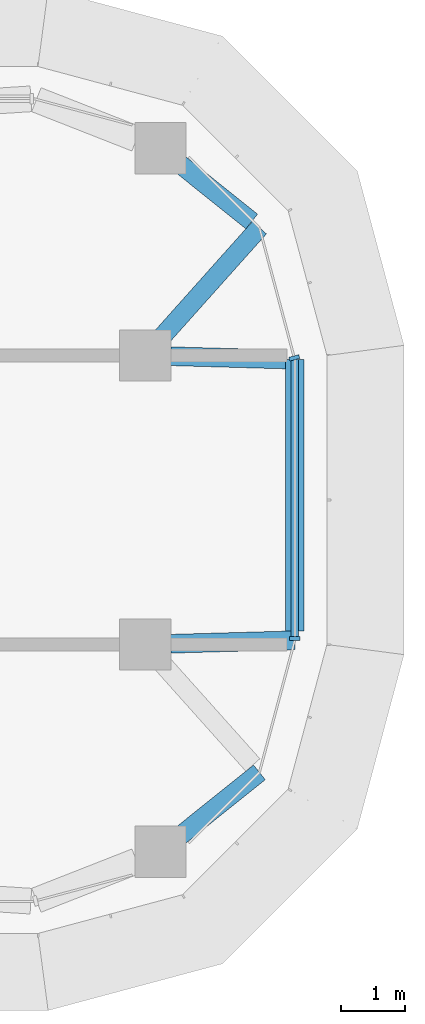
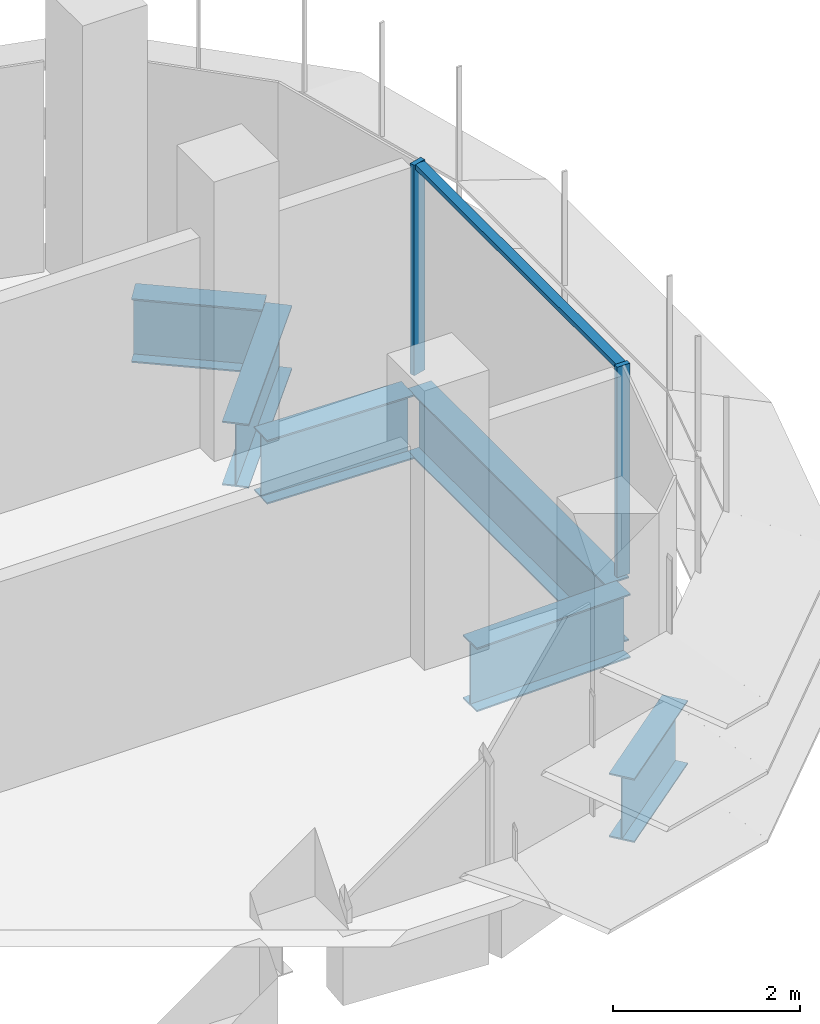
# One storey, part 10 of 19: 6 beams, 3 members, 2 elements without a shape of their own.
"""IFC4 building model written with IfcOpenShell, lengths in metres."""

from ifc_helpers import new_model, si_unit, direction, frame, origin, origin_2d, place, context, subcontext, project, spatial, polyline, i_section, outline, extrude, source, transform, mapped, material, material_profile, profile_set, type_object, element, aggregate, save


model = new_model("IFC4")

# Units and contexts
model_context = context("Model", 3, precision=1e-05, world=origin(), true_north=direction((0.0, 1.0)))
body_context = subcontext(model_context, "Body", "Model", "MODEL_VIEW")
ifc_project = project(units=[si_unit("LENGTHUNIT", "METRE"), si_unit("AREAUNIT", "SQUARE_METRE"), si_unit("VOLUMEUNIT", "CUBIC_METRE"), si_unit("PLANEANGLEUNIT", "RADIAN"), si_unit("MASSUNIT", "GRAM", prefix="KILO")], contexts=[model_context])

# Site, building, storey
site_placement = place(None, origin())
site = spatial("IfcSite", under=ifc_project, at=site_placement, CompositionType="ELEMENT")
building_placement = place(site_placement, origin())
building = spatial("IfcBuilding", under=site, at=building_placement, Name="Zarbagh Exchange Tower", CompositionType="ELEMENT")
storey_placement = place(building_placement, frame((0.0, 0.0, 171.39990234375)))
storey = spatial("IfcBuildingStorey", under=building, at=storey_placement, Name="L41", CompositionType="ELEMENT", Elevation=171.39990234375)

# Beams
ifc_material_1 = material(Name="Steel ASTM A992 Gr 50", Category="steel")
ifc_material_profile = material_profile(ifc_material_1, i_section(OverallWidth=0.2919921875, OverallDepth=0.835693359375, WebThickness=0.013916015625, FlangeThickness=0.018798828125, at=origin_2d()), Name="W33X118")
ifc_profile_set = profile_set([ifc_material_profile], Name="Steel ASTM A992 Gr 50")
beam_type = type_object("IfcBeamType", Name="Floor girder W33X118", PredefinedType="BEAM", material=ifc_profile_set)
beam_1_placement = place(storey_placement, frame((29.22021484375, 5.22509765625, -0.567626953125), z_axis=(0.780533236132, -0.625114283387, 0.0), x_axis=(0.625114283387, 0.780533236132, 0.0)))
element("IfcBeam", 1, at=beam_1_placement, inside=storey, type_object=beam_type, Name="Steel girder", PredefinedType="BEAM", context=body_context, shape_type="SweptSolid", body=[
    extrude(i_section(OverallWidth=0.2919921875, OverallDepth=0.835693359375, WebThickness=0.013916015625, FlangeThickness=0.018798828125, at=origin_2d()), origin(), (0.0, 0.0, 1.0), 1.420166015625),
])
beam_2_placement = place(storey_placement, frame((30.44873046875, 4.2412109375, -0.567626953125), z_axis=(-0.666191013206, -0.745781156857, 0.0), x_axis=(0.745781156857, -0.666191013206, 0.0)))
element("IfcBeam", 2, at=beam_2_placement, inside=storey, type_object=beam_type, Name="Steel girder", PredefinedType="BEAM", context=body_context, shape_type="SweptSolid", body=[
    extrude(i_section(OverallWidth=0.2919921875, OverallDepth=0.835693359375, WebThickness=0.013916015625, FlangeThickness=0.018798828125, at=origin_2d()), origin(), (0.0, 0.0, 1.0), 2.27001953125),
])
beam_3_placement = place(storey_placement, frame((29.06982421875, 2.23876953125, -0.567626953125), z_axis=(0.999600942558, -0.028248108547, 0.0), x_axis=(0.028248108547, 0.999600942558, 0.0)))
element("IfcBeam", 3, at=beam_3_placement, inside=storey, type_object=beam_type, Name="Steel girder", PredefinedType="BEAM", context=body_context, shape_type="SweptSolid", body=[
    extrude(i_section(OverallWidth=0.2919921875, OverallDepth=0.835693359375, WebThickness=0.013916015625, FlangeThickness=0.018798828125, at=origin_2d()), origin(), (0.0, 0.0, 1.0), 1.7890625),
])
beam_4_placement = place(storey_placement, frame((31.0, 2.18408203125, -0.567626953125), z_axis=(0.0, -1.0, 0.0), x_axis=(1.0, 0.0, 0.0)))
element("IfcBeam", 4, at=beam_4_placement, inside=storey, type_object=beam_type, Name="Steel girder", PredefinedType="BEAM", context=body_context, shape_type="SweptSolid", body=[
    extrude(i_section(OverallWidth=0.2919921875, OverallDepth=0.835693359375, WebThickness=0.013916015625, FlangeThickness=0.018798828125, at=origin_2d()), origin(), (0.0, 0.0, 1.0), 4.226318359375),
])
beam_5_placement = place(storey_placement, frame((31.0, -2.18408203125, -0.567626953125), z_axis=(-0.999598864551, -0.028321546377, 0.0), x_axis=(0.028321546377, -0.999598864551, 0.0)))
element("IfcBeam", 5, at=beam_5_placement, inside=storey, type_object=beam_type, Name="Steel girder", PredefinedType="BEAM", context=body_context, shape_type="SweptSolid", body=[
    extrude(i_section(OverallWidth=0.2919921875, OverallDepth=0.835693359375, WebThickness=0.013916015625, FlangeThickness=0.018798828125, at=origin_2d()), origin(), (0.0, 0.0, 1.0), 1.930908203125),
])
beam_6_placement = place(storey_placement, frame((30.44873046875, -4.2412109375, -0.567626953125), z_axis=(-0.780535770033, -0.625111119482, 0.0), x_axis=(0.625111119482, -0.780535770033, 0.0)))
element("IfcBeam", 6, at=beam_6_placement, inside=storey, type_object=beam_type, Name="Steel girder", PredefinedType="BEAM", context=body_context, shape_type="SweptSolid", body=[
    extrude(i_section(OverallWidth=0.2919921875, OverallDepth=0.835693359375, WebThickness=0.013916015625, FlangeThickness=0.018798828125, at=origin_2d()), origin(), (0.0, 0.0, 1.0), 1.573974609375),
])

# Curtain wall, member
ifc_material_2 = material(Name="Anodised aluminium frame and glazing", Category="aluminium")
curtain_wall_type = type_object("IfcCurtainWallType", Name="CWB Ribbon glazing, upper zones", PredefinedType="NOTDEFINED", material=ifc_material_2)
curtain_wall_1_placement = place(storey_placement, origin())
curtain_wall_1 = element("IfcCurtainWall", 7, at=curtain_wall_1_placement, inside=storey, type_object=curtain_wall_type, Name="CWB12 curtain wall", PredefinedType="NOTDEFINED")
ifc_material_3 = material(Name="Anodised aluminium frame", Category="aluminium")
member_type_1 = type_object("IfcMemberType", Name="MUB Mullion, anodised aluminium frame", PredefinedType="MULLION", material=ifc_material_3)
shared_shape_1 = source(origin(), body_context, "Body", "SweptSolid", [
    extrude(outline(polyline([(0.0, -0.080078125), (0.06005859375, -0.080078125), (0.06005859375, 0.080078125), (0.0, 0.080078125), (0.0, -0.080078125)])), origin(), (0.0, 0.0, 1.0), 2.75),
])
placement = place(storey_placement, origin())
member_1 = element("IfcMember", 8, at=placement, type_object=member_type_1, Name="CWB12 mullion 1.1", PredefinedType="MULLION", context=body_context, shape_type="MappedRepresentation", body=[
    mapped(shared_shape_1, transform((31.0, -2.18408203125, 0.0), x_axis=(0.0, 1.0, 0.0), y_axis=(-1.0, 0.0, 0.0), z_axis=(0.0, 0.0, 1.0))),
])

curtain_wall_2_placement = place(storey_placement, origin())
curtain_wall_2 = element("IfcCurtainWall", 9, at=curtain_wall_2_placement, inside=storey, type_object=curtain_wall_type, Name="CWB13 curtain wall", PredefinedType="NOTDEFINED")
member_2 = element("IfcMember", 10, at=placement, type_object=member_type_1, Name="CWB13 mullion 1.1", PredefinedType="MULLION", context=body_context, shape_type="MappedRepresentation", body=[
    mapped(shared_shape_1, transform((31.0, 2.18408203125, 0.0), x_axis=(-0.258824779902, 0.965924289636, 0.0), y_axis=(-0.965924289636, -0.258824779902, 0.0), z_axis=(0.0, 0.0, 1.0))),
])
aggregate(curtain_wall_2, [member_2])

# Member
member_type_2 = type_object("IfcMemberType", Name="TRB Transom, anodised aluminium frame", PredefinedType="USERDEFINED", material=ifc_material_3)
shared_shape_2 = source(origin(), body_context, "Body", "SweptSolid", [
    extrude(outline(polyline([(-0.06005859375, -0.06005859375), (0.0, -0.06005859375), (0.0, 0.06005859375), (-0.06005859375, 0.06005859375), (-0.06005859375, -0.06005859375)])), origin(), (0.0, 0.0, 1.0), 4.308349609375),
])
member_3 = element("IfcMember", 11, at=placement, type_object=member_type_2, Name="CWB12 transom 1.1", ObjectType="TRANSOM", PredefinedType="USERDEFINED", context=body_context, shape_type="MappedRepresentation", body=[
    mapped(shared_shape_2, transform((31.0, -2.124267578125, 2.75), x_axis=(0.0, 0.0, 1.0), y_axis=(1.0, 0.0, 0.0), z_axis=(0.0, 1.0, 0.0))),
])

aggregate(curtain_wall_1, [member_1, member_3])

save(model, "model.ifc")
